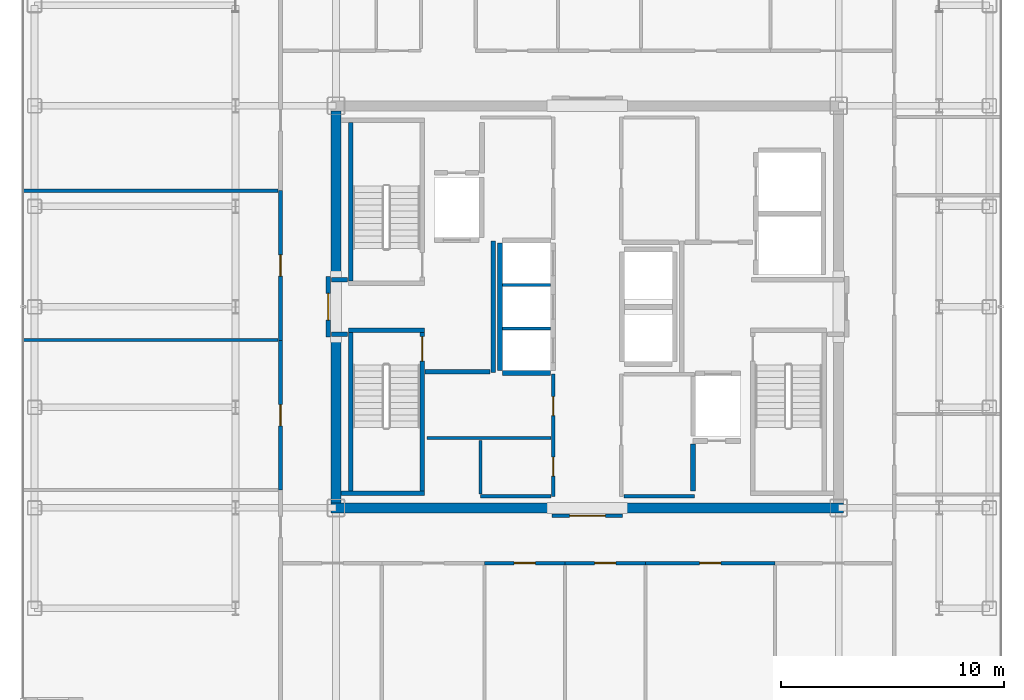
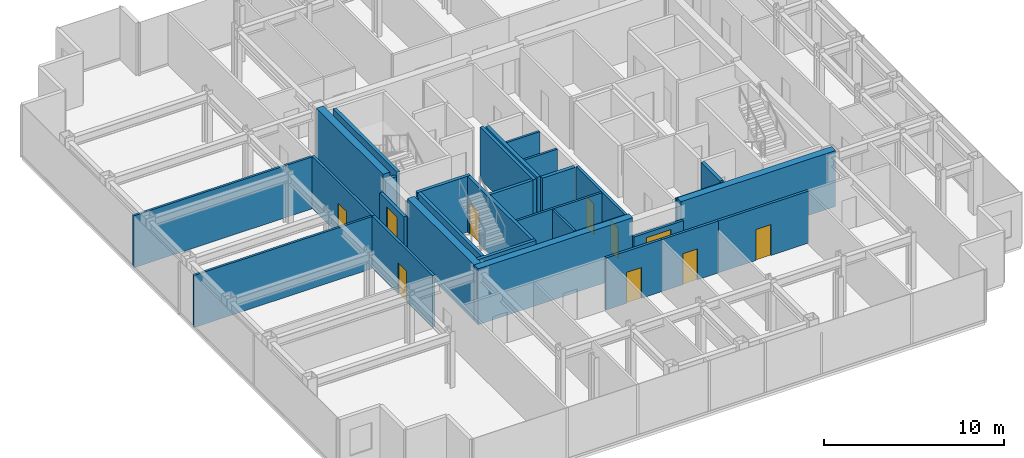
# One storey, part 13 of 18: 32 walls, 10 doors, 10 openings.
"""IFC4 building model written with IfcOpenShell, lengths in metres."""

from ifc_helpers import new_model, si_unit, direction, frame, frame_2d, origin, place, context, subcontext, project, spatial, rectangle, extrude, source, transform, mapped, material, layer, layer_set, type_object, element, fill, save


model = new_model("IFC4")

# Units and contexts
model_context = context("Model", 3, precision=1e-05, world=origin(), true_north=direction((0.0, 1.0)))
body_context = subcontext(model_context, "Body", "Model", "MODEL_VIEW")
ifc_project = project(units=[si_unit("LENGTHUNIT", "METRE"), si_unit("AREAUNIT", "SQUARE_METRE"), si_unit("VOLUMEUNIT", "CUBIC_METRE"), si_unit("PLANEANGLEUNIT", "RADIAN"), si_unit("MASSUNIT", "GRAM", prefix="KILO")], contexts=[model_context])

# Site, building, storey
site_placement = place(None, origin())
site = spatial("IfcSite", under=ifc_project, at=site_placement, CompositionType="ELEMENT")
building_placement = place(site_placement, origin())
building = spatial("IfcBuilding", under=site, at=building_placement, Name="Nefas-Gora Pilgrimage Tower", CompositionType="ELEMENT")
storey_placement = place(building_placement, frame((0.0, 0.0, 272.199951171875)))
storey = spatial("IfcBuildingStorey", under=building, at=storey_placement, Name="L68", CompositionType="ELEMENT", Elevation=272.199951171875)

# Walls
ifc_material_1 = material(Name="Concrete C50/60", Category="concrete")
ifc_layer_1 = layer(ifc_material_1, 0.449951171875)
ifc_layer_set_1 = layer_set([ifc_layer_1], Name="Concrete C50/60")
wall_type_1 = type_object("IfcWallType", Name="SW-CORE-450", PredefinedType="SHEAR", material=ifc_layer_set_1)
shared_shape_1 = source(origin(), body_context, "Body", "SweptSolid", [
    extrude(rectangle(XDim=9.925048828125, YDim=0.449951171875, at=frame_2d((4.96240234375, 0.0))), origin(), (0.0, 0.0, 1.0), 3.800048828125),
])
for number, where, z_axis, x_axis, name in (
    (1, (-11.47509765625, -9.0, 0.0), (0.0, 0.0, 1.0), (1.0, 0.0, 0.0), "L68 Core Shear Wall S-West"),
    (2, (1.550048828125, -9.0, 0.0), (0.0, 0.0, 1.0), (1.0, 0.0, 0.0), "L68 Core Shear Wall S-East"),
):
    element("IfcWall", number, at=place(storey_placement, frame(where, z_axis=z_axis, x_axis=x_axis)), inside=storey, type_object=wall_type_1, Name=name, PredefinedType="SHEAR", context=body_context, shape_type="MappedRepresentation", body=[
        mapped(shared_shape_1, transform((0.0, 0.0, 0.0), x_axis=(1.0, 0.0, 0.0), y_axis=(0.0, 1.0, 0.0), z_axis=(0.0, 0.0, 1.0), scale=1.0)),
    ])
shared_shape_2 = source(origin(), body_context, "Body", "SweptSolid", [
    extrude(rectangle(XDim=7.4248046875, YDim=0.449951171875, at=frame_2d((3.71240234375, 0.0))), origin(), (0.0, 0.0, 1.0), 3.800048828125),
])
for number, where, z_axis, x_axis, name in (
    (3, (-11.25, -8.77490234375, 0.0), (0.0, 0.0, 1.0), (0.0, 1.0, 0.0), "L68 Core Shear Wall W-South"),
    (4, (-11.25, 1.35009765625, 0.0), (0.0, 0.0, 1.0), (0.0, 1.0, 0.0), "L68 Core Shear Wall W-North"),
):
    element("IfcWall", number, at=place(storey_placement, frame(where, z_axis=z_axis, x_axis=x_axis)), inside=storey, type_object=wall_type_1, Name=name, PredefinedType="SHEAR", context=body_context, shape_type="MappedRepresentation", body=[
        mapped(shared_shape_2, transform((0.0, 0.0, 0.0), x_axis=(1.0, 0.0, 0.0), y_axis=(0.0, 1.0, 0.0), z_axis=(0.0, 0.0, 1.0), scale=1.0)),
    ])
ifc_material_2 = material(Name="Concrete C45/55", Category="concrete")
ifc_layer_2 = layer(ifc_material_2, 0.199951171875)
ifc_layer_set_2 = layer_set([ifc_layer_2], Name="Concrete C45/55")
wall_type_2 = type_object("IfcWallType", Name="IW-STAIR-200", PredefinedType="SOLIDWALL", material=ifc_layer_set_2)
shared_shape_3 = source(origin(), body_context, "Body", "SweptSolid", [
    extrude(rectangle(XDim=3.39990234375, YDim=0.199951171875, at=frame_2d((1.699951171875, 0.0))), origin(), (0.0, 0.0, 1.0), 3.800048828125),
])
wall_1_placement = place(storey_placement, frame((-10.699951171875, -1.050048828125, 0.0), z_axis=(0.0, 0.0, 1.0), x_axis=(1.0, 0.0, 0.0)))
element("IfcWall", 5, at=wall_1_placement, inside=storey, type_object=wall_type_2, Name="L68 Stairwell Shear Wall ST-03-near", PredefinedType="SOLIDWALL", context=body_context, shape_type="MappedRepresentation", body=[
    mapped(shared_shape_3, transform((0.0, 0.0, 0.0), x_axis=(1.0, 0.0, 0.0), y_axis=(0.0, 1.0, 0.0), z_axis=(0.0, 0.0, 1.0), scale=1.0)),
])
shared_shape_4 = source(origin(), body_context, "Body", "SweptSolid", [
    extrude(rectangle(XDim=7.10009765625, YDim=0.199951171875, at=frame_2d((3.550048828125, 0.0))), origin(), (0.0, 0.0, 1.0), 3.800048828125),
])
for number, where, z_axis, x_axis, name in (
    (6, (-10.60009765625, 1.14990234375, 0.0), (0.0, 0.0, 1.0), (0.0, 1.0, 0.0), "L68 Stairwell Shear Wall ST-01-right"),
    (7, (-10.60009765625, -1.14990234375, 0.0), (0.0, 0.0, 1.0), (0.0, -1.0, 0.0), "L68 Stairwell Shear Wall ST-03-left"),
):
    element("IfcWall", number, at=place(storey_placement, frame(where, z_axis=z_axis, x_axis=x_axis)), inside=storey, type_object=wall_type_2, Name=name, PredefinedType="SOLIDWALL", context=body_context, shape_type="MappedRepresentation", body=[
        mapped(shared_shape_4, transform((0.0, 0.0, 0.0), x_axis=(1.0, 0.0, 0.0), y_axis=(0.0, 1.0, 0.0), z_axis=(0.0, 0.0, 1.0), scale=1.0)),
    ])

# Wall, opening, door
wall_2_placement = place(storey_placement, frame((-7.39990234375, -1.14990234375, 0.0), z_axis=(0.0, 0.0, 1.0), x_axis=(0.0, -1.0, 0.0)))
wall_2 = element("IfcWall", 8, at=wall_2_placement, inside=storey, type_object=wall_type_2, Name="L68 Stairwell Shear Wall ST-03-right", PredefinedType="SOLIDWALL", context=body_context, shape_type="MappedRepresentation", body=[
    mapped(shared_shape_4, transform((0.0, 0.0, 0.0), x_axis=(1.0, 0.0, 0.0), y_axis=(0.0, 1.0, 0.0), z_axis=(0.0, 0.0, 1.0), scale=1.0)),
])
opening_1_placement = place(wall_2_placement, frame((0.179931640625, 0.0, 0.0)))
opening_1 = element("IfcOpeningElement", 9, at=opening_1_placement, cuts=wall_2, Name="Opening ID-ST1", PredefinedType="OPENING", context=body_context, shape_type="SweptSolid", body=[
    extrude(rectangle(XDim=1.10009765625, YDim=2.14990234375, at=frame_2d((0.550048828125, 1.074951171875))), frame((0.0, 0.10986328125, 0.0), z_axis=(0.0, -1.0, 0.0), x_axis=(1.0, 0.0, 0.0)), (0.0, 0.0, 1.0), 0.219970703125),
])
ifc_material_3 = material(Name="Painted galvanised steel fire stair door", Category="steel")
door_type_1 = type_object("IfcDoorType", Name="DR-INT-STAIR-1100", OperationType="NOTDEFINED", PredefinedType="DOOR", material=ifc_material_3)
shared_shape_5 = source(origin(), body_context, "Body", "SweptSolid", [
    extrude(rectangle(XDim=1.10009765625, YDim=2.14990234375, at=frame_2d((0.550048828125, 1.074951171875))), frame((0.0, 0.02490234375, 0.0), z_axis=(0.0, -1.0, 0.0), x_axis=(1.0, 0.0, 0.0)), (0.0, 0.0, 1.0), 0.050048828125),
])
door_1_placement = place(opening_1_placement, origin())
door_1 = element("IfcDoor", 10, at=door_1_placement, inside=storey, type_object=door_type_1, Name="L68 Protected Exit Stair Door ST-03", OperationType="SINGLE_SWING_RIGHT", OverallHeight=2.14990234375, OverallWidth=1.10009765625, PredefinedType="DOOR", context=body_context, shape_type="MappedRepresentation", body=[
    mapped(shared_shape_5, transform((0.0, 0.0, 0.0), x_axis=(1.0, 0.0, 0.0), y_axis=(0.0, 1.0, 0.0), z_axis=(0.0, 0.0, 1.0), scale=1.0)),
])
fill(opening_1, door_1)

# Walls
shared_shape_6 = source(origin(), body_context, "Body", "SweptSolid", [
    extrude(rectangle(XDim=3.72998046875, YDim=0.199951171875, at=frame_2d((1.864990234375, 0.0))), origin(), (0.0, 0.0, 1.0), 3.800048828125),
])
wall_3_placement = place(storey_placement, frame((-11.030029296875, -8.35009765625, 0.0), z_axis=(0.0, 0.0, 1.0), x_axis=(1.0, 0.0, 0.0)))
element("IfcWall", 11, at=wall_3_placement, inside=storey, type_object=wall_type_2, Name="L68 Stairwell Shear Wall ST-03-far", PredefinedType="SOLIDWALL", context=body_context, shape_type="MappedRepresentation", body=[
    mapped(shared_shape_6, transform((0.0, 0.0, 0.0), x_axis=(1.0, 0.0, 0.0), y_axis=(0.0, 1.0, 0.0), z_axis=(0.0, 0.0, 1.0), scale=1.0)),
])
ifc_material_4 = material(Name="Concrete C40/50", Category="concrete")
ifc_layer_3 = layer(ifc_material_4, 0.219970703125)
ifc_layer_set_3 = layer_set([ifc_layer_3], Name="Concrete C40/50")
wall_type_3 = type_object("IfcWallType", Name="IW-SHAFT-220", PredefinedType="SOLIDWALL", material=ifc_layer_set_3)
shared_shape_7 = source(origin(), body_context, "Body", "SweptSolid", [
    extrude(rectangle(XDim=5.7001953125, YDim=0.219970703125, at=frame_2d((2.85009765625, 0.0))), origin(), (0.0, 0.0, 1.0), 3.53515625),
])
wall_4_placement = place(storey_placement, frame((-3.909912109375, 2.85009765625, 0.0), z_axis=(0.0, 0.0, 1.0), x_axis=(0.0, -1.0, 0.0)))
element("IfcWall", 12, at=wall_4_placement, inside=storey, type_object=wall_type_3, Name="L68 Hoistway Wall PL3-01-03-W", PredefinedType="SOLIDWALL", context=body_context, shape_type="MappedRepresentation", body=[
    mapped(shared_shape_7, transform((0.0, 0.0, 0.0), x_axis=(1.0, 0.0, 0.0), y_axis=(0.0, 1.0, 0.0), z_axis=(0.0, 0.0, 1.0), scale=1.0)),
])
shared_shape_8 = source(origin(), body_context, "Body", "SweptSolid", [
    extrude(rectangle(XDim=2.130126953125, YDim=0.219970703125, at=frame_2d((1.06494140625, 0.0))), origin(), (0.0, 0.0, 1.0), 3.53515625),
])
wall_5_placement = place(storey_placement, frame((-3.7900390625, -2.9599609375, 0.0), z_axis=(0.0, 0.0, 1.0), x_axis=(1.0, 0.0, 0.0)))
element("IfcWall", 13, at=wall_5_placement, inside=storey, type_object=wall_type_3, Name="L68 Hoistway Wall PL3-01-S", PredefinedType="SOLIDWALL", context=body_context, shape_type="MappedRepresentation", body=[
    mapped(shared_shape_8, transform((0.0, 0.0, 0.0), x_axis=(1.0, 0.0, 0.0), y_axis=(0.0, 1.0, 0.0), z_axis=(0.0, 0.0, 1.0), scale=1.0)),
])
ifc_material_5 = material(Name="Gypsum twin-stud partition")
ifc_layer_4 = layer(ifc_material_5, 0.139892578125)
ifc_layer_set_4 = layer_set([ifc_layer_4], Name="Gypsum twin-stud partition")
wall_type_4 = type_object("IfcWallType", Name="IW-UNIT-140", PredefinedType="PARTITIONING", material=ifc_layer_set_4)
shared_shape_9 = source(origin(), body_context, "Body", "SweptSolid", [
    extrude(rectangle(XDim=2.130126953125, YDim=0.139892578125, at=frame_2d((1.06494140625, 0.0))), origin(), (0.0, 0.0, 1.0), 3.53515625),
])
for number, where, z_axis, x_axis, name in (
    (14, (-3.7900390625, -0.97509765625, 0.0), (0.0, 0.0, 1.0), (1.0, 0.0, 0.0), "L68 Hoistway Wall PL3-01-02-DIV"),
    (15, (-3.7900390625, 0.97509765625, 0.0), (0.0, 0.0, 1.0), (1.0, 0.0, 0.0), "L68 Hoistway Wall PL3-02-03-DIV"),
):
    element("IfcWall", number, at=place(storey_placement, frame(where, z_axis=z_axis, x_axis=x_axis)), inside=storey, type_object=wall_type_4, Name=name, PredefinedType="PARTITIONING", context=body_context, shape_type="MappedRepresentation", body=[
        mapped(shared_shape_9, transform((0.0, 0.0, 0.0), x_axis=(1.0, 0.0, 0.0), y_axis=(0.0, 1.0, 0.0), z_axis=(0.0, 0.0, 1.0), scale=1.0)),
    ])
ifc_material_6 = material(Name="Gypsum fire-rated shaftwall")
ifc_layer_5 = layer(ifc_material_6, 0.199951171875)
ifc_layer_set_5 = layer_set([ifc_layer_5], Name="Gypsum fire-rated shaftwall")
wall_type_5 = type_object("IfcWallType", Name="IW-FFLOB-200", PredefinedType="PARTITIONING", material=ifc_layer_set_5)
shared_shape_10 = source(origin(), body_context, "Body", "SweptSolid", [
    extrude(rectangle(XDim=5.89990234375, YDim=0.199951171875, at=frame_2d((2.949951171875, 0.0))), origin(), (0.0, 0.0, 1.0), 3.53515625),
])
wall_6_placement = place(storey_placement, frame((-4.219970703125, -2.949951171875, 0.0), z_axis=(0.0, 0.0, 1.0), x_axis=(0.0, 1.0, 0.0)))
element("IfcWall", 16, at=wall_6_placement, inside=storey, type_object=wall_type_5, Name="L68 FF Lobby West Inner Wall Wall 6", PredefinedType="PARTITIONING", context=body_context, shape_type="MappedRepresentation", body=[
    mapped(shared_shape_10, transform((0.0, 0.0, 0.0), x_axis=(1.0, 0.0, 0.0), y_axis=(0.0, 1.0, 0.0), z_axis=(0.0, 0.0, 1.0), scale=1.0)),
])
shared_shape_11 = source(origin(), body_context, "Body", "SweptSolid", [
    extrude(rectangle(XDim=2.89990234375, YDim=0.199951171875, at=frame_2d((1.449951171875, 0.0))), origin(), (0.0, 0.0, 1.0), 3.53515625),
])
wall_7_placement = place(storey_placement, frame((-7.260009765625, -2.89990234375, 0.0), z_axis=(0.0, 0.0, 1.0), x_axis=(1.0, 0.0, 0.0)))
element("IfcWall", 17, at=wall_7_placement, inside=storey, type_object=wall_type_5, Name="L68 FF Lobby West South Wall Wall 7", PredefinedType="PARTITIONING", context=body_context, shape_type="MappedRepresentation", body=[
    mapped(shared_shape_11, transform((0.0, 0.0, 0.0), x_axis=(1.0, 0.0, 0.0), y_axis=(0.0, 1.0, 0.0), z_axis=(0.0, 0.0, 1.0), scale=1.0)),
])
shared_shape_12 = source(origin(), body_context, "Body", "SweptSolid", [
    extrude(rectangle(XDim=0.719970703125, YDim=0.199951171875, at=frame_2d((0.35986328125, 0.0))), origin(), (0.0, 0.0, 1.0), 3.53515625),
])
for number, where, z_axis, x_axis, name in (
    (18, (-11.4599609375, 1.219970703125, 0.0), (0.0, 0.0, 1.0), (1.0, 0.0, 0.0), "L68 FF Lobby West Throat N Wall 8"),
    (19, (-11.4599609375, -1.219970703125, 0.0), (0.0, 0.0, 1.0), (1.0, 0.0, 0.0), "L68 FF Lobby West Throat S Wall 9"),
):
    element("IfcWall", number, at=place(storey_placement, frame(where, z_axis=z_axis, x_axis=x_axis)), inside=storey, type_object=wall_type_5, Name=name, PredefinedType="PARTITIONING", context=body_context, shape_type="MappedRepresentation", body=[
        mapped(shared_shape_12, transform((0.0, 0.0, 0.0), x_axis=(1.0, 0.0, 0.0), y_axis=(0.0, 1.0, 0.0), z_axis=(0.0, 0.0, 1.0), scale=1.0)),
    ])
shared_shape_13 = source(origin(), body_context, "Body", "SweptSolid", [
    extrude(rectangle(XDim=3.150146484375, YDim=0.139892578125, at=frame_2d((1.5751953125, 0.0))), origin(), (0.0, 0.0, 1.0), 3.53515625),
])
for number, where, z_axis, x_axis, name in (
    (20, (-4.7900390625, -8.47998046875, 0.0), (0.0, 0.0, 1.0), (1.0, 0.0, 0.0), "L68 Freed Bank-2 West Supply Vault Partition Wall 25"),
    (21, (1.639892578125, -8.47998046875, 0.0), (0.0, 0.0, 1.0), (1.0, 0.0, 0.0), "L68 Freed Bank-2 East Linen Store Partition Wall 29"),
):
    element("IfcWall", number, at=place(storey_placement, frame(where, z_axis=z_axis, x_axis=x_axis)), inside=storey, type_object=wall_type_4, Name=name, PredefinedType="PARTITIONING", context=body_context, shape_type="MappedRepresentation", body=[
        mapped(shared_shape_13, transform((0.0, 0.0, 0.0), x_axis=(1.0, 0.0, 0.0), y_axis=(0.0, 1.0, 0.0), z_axis=(0.0, 0.0, 1.0), scale=1.0)),
    ])

# Wall, opening, door
ifc_material_7 = material(Name="Gypsum acoustic stud partition")
ifc_layer_6 = layer(ifc_material_7, 0.159912109375)
ifc_layer_set_6 = layer_set([ifc_layer_6], Name="Gypsum acoustic stud partition")
wall_type_6 = type_object("IfcWallType", Name="IW-CORR-160", PredefinedType="PARTITIONING", material=ifc_layer_set_6)
shared_shape_14 = source(origin(), body_context, "Body", "SweptSolid", [
    extrude(rectangle(XDim=3.60498046875, YDim=0.159912109375, at=frame_2d((1.802490234375, 0.0))), origin(), (0.0, 0.0, 1.0), 3.53515625),
])
wall_8_placement = place(storey_placement, frame((-4.60498046875, -11.469970703125, 0.0), z_axis=(0.0, 0.0, 1.0), x_axis=(1.0, 0.0, 0.0)))
wall_8 = element("IfcWall", 22, at=wall_8_placement, inside=storey, type_object=wall_type_6, Name="L68 Pilgrim Contemplative Lounge Partition Wall 62", PredefinedType="PARTITIONING", context=body_context, shape_type="MappedRepresentation", body=[
    mapped(shared_shape_14, transform((0.0, 0.0, 0.0), x_axis=(1.0, 0.0, 0.0), y_axis=(0.0, 1.0, 0.0), z_axis=(0.0, 0.0, 1.0), scale=1.0)),
])
opening_2_placement = place(wall_8_placement, frame((1.327392578125, 0.0, 0.0)))
opening_2 = element("IfcOpeningElement", 23, at=opening_2_placement, cuts=wall_8, Name="Opening ID-GR1", PredefinedType="OPENING", context=body_context, shape_type="SweptSolid", body=[
    extrude(rectangle(XDim=0.949951171875, YDim=2.10009765625, at=frame_2d((0.47509765625, 1.050048828125))), frame((0.0, 0.08984375, 0.0), z_axis=(0.0, -1.0, 0.0), x_axis=(1.0, 0.0, 0.0)), (0.0, 0.0, 1.0), 0.179931640625),
])
ifc_material_8 = material(Name="Solid core oak fire-rated guest entrance door")
door_type_2 = type_object("IfcDoorType", Name="DR-INT-GUEST-950", OperationType="NOTDEFINED", PredefinedType="DOOR", material=ifc_material_8)
shared_shape_15 = source(origin(), body_context, "Body", "SweptSolid", [
    extrude(rectangle(XDim=0.949951171875, YDim=2.10009765625, at=frame_2d((0.47509765625, 1.050048828125))), frame((0.0, 0.02490234375, 0.0), z_axis=(0.0, -1.0, 0.0), x_axis=(1.0, 0.0, 0.0)), (0.0, 0.0, 1.0), 0.050048828125),
])
door_2_placement = place(opening_2_placement, origin())
door_2 = element("IfcDoor", 24, at=door_2_placement, inside=storey, type_object=door_type_2, Name="L68 Pilgrim Contemplative Lounge Door 30", OperationType="SINGLE_SWING_LEFT", OverallHeight=2.10009765625, OverallWidth=0.949951171875, PredefinedType="DOOR", context=body_context, shape_type="MappedRepresentation", body=[
    mapped(shared_shape_15, transform((0.0, 0.0, 0.0), x_axis=(1.0, 0.0, 0.0), y_axis=(0.0, 1.0, 0.0), z_axis=(0.0, 0.0, 1.0), scale=1.0)),
])
fill(opening_2, door_2)

wall_9_placement = place(storey_placement, frame((-1.0, -11.469970703125, 0.0), z_axis=(0.0, 0.0, 1.0), x_axis=(1.0, 0.0, 0.0)))
wall_9 = element("IfcWall", 25, at=wall_9_placement, inside=storey, type_object=wall_type_6, Name="L68 Pilgrim Contemplative Lounge Partition Wall 64", PredefinedType="PARTITIONING", context=body_context, shape_type="MappedRepresentation", body=[
    mapped(shared_shape_14, transform((0.0, 0.0, 0.0), x_axis=(1.0, 0.0, 0.0), y_axis=(0.0, 1.0, 0.0), z_axis=(0.0, 0.0, 1.0), scale=1.0)),
])
opening_3_placement = place(wall_9_placement, frame((1.327392578125, 0.0, 0.0)))
opening_3 = element("IfcOpeningElement", 26, at=opening_3_placement, cuts=wall_9, Name="Opening ID-GR1", PredefinedType="OPENING", context=body_context, shape_type="SweptSolid", body=[
    extrude(rectangle(XDim=0.949951171875, YDim=2.10009765625, at=frame_2d((0.47509765625, 1.050048828125))), frame((0.0, 0.08984375, 0.0), z_axis=(0.0, -1.0, 0.0), x_axis=(1.0, 0.0, 0.0)), (0.0, 0.0, 1.0), 0.179931640625),
])
door_3_placement = place(opening_3_placement, origin())
door_3 = element("IfcDoor", 27, at=door_3_placement, inside=storey, type_object=door_type_2, Name="L68 Pilgrim Contemplative Lounge Door 31", OperationType="SINGLE_SWING_RIGHT", OverallHeight=2.10009765625, OverallWidth=0.949951171875, PredefinedType="DOOR", context=body_context, shape_type="MappedRepresentation", body=[
    mapped(shared_shape_15, transform((0.0, 0.0, 0.0), x_axis=(1.0, 0.0, 0.0), y_axis=(0.0, 1.0, 0.0), z_axis=(0.0, 0.0, 1.0), scale=1.0)),
])
fill(opening_3, door_3)

# Walls
shared_shape_16 = source(origin(), body_context, "Body", "SweptSolid", [
    extrude(rectangle(XDim=11.429931640625, YDim=0.139892578125, at=frame_2d((5.71484375, 0.0))), origin(), (0.0, 0.0, 1.0), 3.53515625),
])
for number, where, z_axis, x_axis, name in (
    (28, (-25.2900390625, 5.195068359375, 0.0), (0.0, 0.0, 1.0), (1.0, 0.0, 0.0), "L68 Pilgrim Fellowship Seminar Room Partition Wall 36"),
    (29, (-25.2900390625, -1.489990234375, 0.0), (0.0, 0.0, 1.0), (1.0, 0.0, 0.0), "L68 Pilgrim Fellowship Seminar Room Partition Wall 37"),
):
    element("IfcWall", number, at=place(storey_placement, frame(where, z_axis=z_axis, x_axis=x_axis)), inside=storey, type_object=wall_type_4, Name=name, PredefinedType="PARTITIONING", context=body_context, shape_type="MappedRepresentation", body=[
        mapped(shared_shape_16, transform((0.0, 0.0, 0.0), x_axis=(1.0, 0.0, 0.0), y_axis=(0.0, 1.0, 0.0), z_axis=(0.0, 0.0, 1.0), scale=1.0)),
    ])

# Wall, opening, door
shared_shape_17 = source(origin(), body_context, "Body", "SweptSolid", [
    extrude(rectangle(XDim=5.81005859375, YDim=0.159912109375, at=frame_2d((2.905029296875, 0.0))), origin(), (0.0, 0.0, 1.0), 3.53515625),
])
wall_10_placement = place(storey_placement, frame((2.594970703125, -11.469970703125, 0.0), z_axis=(0.0, 0.0, 1.0), x_axis=(1.0, 0.0, 0.0)))
wall_10 = element("IfcWall", 30, at=wall_10_placement, inside=storey, type_object=wall_type_6, Name="L68 Pilgrim Contemplative Lounge Partition Wall 66", PredefinedType="PARTITIONING", context=body_context, shape_type="MappedRepresentation", body=[
    mapped(shared_shape_17, transform((0.0, 0.0, 0.0), x_axis=(1.0, 0.0, 0.0), y_axis=(0.0, 1.0, 0.0), z_axis=(0.0, 0.0, 1.0), scale=1.0)),
])
opening_4_placement = place(wall_10_placement, frame((2.429931640625, 0.0, 0.0)))
opening_4 = element("IfcOpeningElement", 31, at=opening_4_placement, cuts=wall_10, Name="Opening ID-GR1", PredefinedType="OPENING", context=body_context, shape_type="SweptSolid", body=[
    extrude(rectangle(XDim=0.949951171875, YDim=2.10009765625, at=frame_2d((0.47509765625, 1.050048828125))), frame((0.0, 0.08984375, 0.0), z_axis=(0.0, -1.0, 0.0), x_axis=(1.0, 0.0, 0.0)), (0.0, 0.0, 1.0), 0.179931640625),
])
door_4_placement = place(opening_4_placement, origin())
door_4 = element("IfcDoor", 32, at=door_4_placement, inside=storey, type_object=door_type_2, Name="L68 Pilgrim Contemplative Lounge Door 32", OperationType="SINGLE_SWING_LEFT", OverallHeight=2.10009765625, OverallWidth=0.949951171875, PredefinedType="DOOR", context=body_context, shape_type="MappedRepresentation", body=[
    mapped(shared_shape_15, transform((0.0, 0.0, 0.0), x_axis=(1.0, 0.0, 0.0), y_axis=(0.0, 1.0, 0.0), z_axis=(0.0, 0.0, 1.0), scale=1.0)),
])
fill(opening_4, door_4)

# Wall, openings, doors
shared_shape_18 = source(origin(), body_context, "Body", "SweptSolid", [
    extrude(rectangle(XDim=5.47998046875, YDim=0.159912109375, at=frame_2d((2.739990234375, 0.0))), origin(), (0.0, 0.0, 1.0), 3.53515625),
])
wall_11_placement = place(storey_placement, frame((-1.52001953125, -8.489990234375, 0.0), z_axis=(0.0, 0.0, 1.0), x_axis=(0.0, 1.0, 0.0)))
wall_11 = element("IfcWall", 33, at=wall_11_placement, inside=storey, type_object=wall_type_6, Name="L68 Pilgrim Baggage and Gear Vault Wall 21", PredefinedType="PARTITIONING", context=body_context, shape_type="MappedRepresentation", body=[
    mapped(shared_shape_18, transform((0.0, 0.0, 0.0), x_axis=(1.0, 0.0, 0.0), y_axis=(0.0, 1.0, 0.0), z_axis=(0.0, 0.0, 1.0), scale=1.0)),
])
opening_5_placement = place(wall_11_placement, frame((0.907470703125, 0.0, 0.0)))
opening_5 = element("IfcOpeningElement", 34, at=opening_5_placement, cuts=wall_11, Name="Opening ID-BT1", PredefinedType="OPENING", context=body_context, shape_type="SweptSolid", body=[
    extrude(rectangle(XDim=0.85009765625, YDim=2.10009765625, at=frame_2d((0.425048828125, 1.050048828125))), frame((0.0, 0.08984375, 0.0), z_axis=(0.0, -1.0, 0.0), x_axis=(1.0, 0.0, 0.0)), (0.0, 0.0, 1.0), 0.179931640625),
])
opening_6_placement = place(wall_11_placement, frame((3.614990234375, 0.0, 0.0)))
opening_6 = element("IfcOpeningElement", 35, at=opening_6_placement, cuts=wall_11, Name="Opening ID-BT1", PredefinedType="OPENING", context=body_context, shape_type="SweptSolid", body=[
    extrude(rectangle(XDim=0.85009765625, YDim=2.10009765625, at=frame_2d((0.425048828125, 1.050048828125))), frame((0.0, 0.08984375, 0.0), z_axis=(0.0, -1.0, 0.0), x_axis=(1.0, 0.0, 0.0)), (0.0, 0.0, 1.0), 0.179931640625),
])
ifc_material_9 = material(Name="Moisture-resistant fire-rated timber door", Category="wood")
door_type_3 = type_object("IfcDoorType", Name="DR-INT-BATH-850", OperationType="NOTDEFINED", PredefinedType="DOOR", material=ifc_material_9)
shared_shape_19 = source(origin(), body_context, "Body", "SweptSolid", [
    extrude(rectangle(XDim=0.85009765625, YDim=2.10009765625, at=frame_2d((0.425048828125, 1.050048828125))), frame((0.0, 0.02490234375, 0.0), z_axis=(0.0, -1.0, 0.0), x_axis=(1.0, 0.0, 0.0)), (0.0, 0.0, 1.0), 0.050048828125),
])
door_5_placement = place(opening_5_placement, origin())
door_5 = element("IfcDoor", 36, at=door_5_placement, inside=storey, type_object=door_type_3, Name="L68 Freed Bank-2 West Supply Vault Door 9", OperationType="SINGLE_SWING_RIGHT", OverallHeight=2.10009765625, OverallWidth=0.85009765625, PredefinedType="DOOR", context=body_context, shape_type="MappedRepresentation", body=[
    mapped(shared_shape_19, transform((0.0, 0.0, 0.0), x_axis=(1.0, 0.0, 0.0), y_axis=(0.0, 1.0, 0.0), z_axis=(0.0, 0.0, 1.0), scale=1.0)),
])
fill(opening_5, door_5)
door_6_placement = place(opening_6_placement, origin())
door_6 = element("IfcDoor", 37, at=door_6_placement, inside=storey, type_object=door_type_3, Name="L68 Pilgrim Baggage and Gear Vault Door 10", OperationType="SINGLE_SWING_LEFT", OverallHeight=2.10009765625, OverallWidth=0.85009765625, PredefinedType="DOOR", context=body_context, shape_type="MappedRepresentation", body=[
    mapped(shared_shape_19, transform((0.0, 0.0, 0.0), x_axis=(1.0, 0.0, 0.0), y_axis=(0.0, 1.0, 0.0), z_axis=(0.0, 0.0, 1.0), scale=1.0)),
])
fill(opening_6, door_6)

# Wall, opening, door
shared_shape_20 = source(origin(), body_context, "Body", "SweptSolid", [
    extrude(rectangle(XDim=6.705078125, YDim=0.159912109375, at=frame_2d((3.3525390625, 0.0))), origin(), (0.0, 0.0, 1.0), 3.53515625),
])
wall_12_placement = place(storey_placement, frame((-13.739990234375, -1.5, 0.0), z_axis=(0.0, 0.0, 1.0), x_axis=(0.0, 1.0, 0.0)))
wall_12 = element("IfcWall", 38, at=wall_12_placement, inside=storey, type_object=wall_type_6, Name="L68 Pilgrim Fellowship Seminar Room Partition Wall 35", PredefinedType="PARTITIONING", context=body_context, shape_type="MappedRepresentation", body=[
    mapped(shared_shape_20, transform((0.0, 0.0, 0.0), x_axis=(1.0, 0.0, 0.0), y_axis=(0.0, 1.0, 0.0), z_axis=(0.0, 0.0, 1.0), scale=1.0)),
])
opening_7_placement = place(wall_12_placement, frame((2.87744140625, 0.0, 0.0)))
opening_7 = element("IfcOpeningElement", 39, at=opening_7_placement, cuts=wall_12, Name="Opening ID-GR1", PredefinedType="OPENING", context=body_context, shape_type="SweptSolid", body=[
    extrude(rectangle(XDim=0.949951171875, YDim=2.10009765625, at=frame_2d((0.47509765625, 1.050048828125))), frame((0.0, 0.08984375, 0.0), z_axis=(0.0, -1.0, 0.0), x_axis=(1.0, 0.0, 0.0)), (0.0, 0.0, 1.0), 0.179931640625),
])
door_7_placement = place(opening_7_placement, origin())
door_7 = element("IfcDoor", 40, at=door_7_placement, inside=storey, type_object=door_type_2, Name="L68 Pilgrim Fellowship Seminar Room Door 15", OperationType="SINGLE_SWING_RIGHT", OverallHeight=2.10009765625, OverallWidth=0.949951171875, PredefinedType="DOOR", context=body_context, shape_type="MappedRepresentation", body=[
    mapped(shared_shape_15, transform((0.0, 0.0, 0.0), x_axis=(1.0, 0.0, 0.0), y_axis=(0.0, 1.0, 0.0), z_axis=(0.0, 0.0, 1.0), scale=1.0)),
])
fill(opening_7, door_7)

wall_13_placement = place(storey_placement, frame((-13.739990234375, -8.205078125, 0.0), z_axis=(0.0, 0.0, 1.0), x_axis=(0.0, 1.0, 0.0)))
wall_13 = element("IfcWall", 41, at=wall_13_placement, inside=storey, type_object=wall_type_6, Name="L68 Pilgrim Contemplative Lounge Partition Wall 38", PredefinedType="PARTITIONING", context=body_context, shape_type="MappedRepresentation", body=[
    mapped(shared_shape_20, transform((0.0, 0.0, 0.0), x_axis=(1.0, 0.0, 0.0), y_axis=(0.0, 1.0, 0.0), z_axis=(0.0, 0.0, 1.0), scale=1.0)),
])
opening_8_placement = place(wall_13_placement, frame((2.87744140625, 0.0, 0.0)))
opening_8 = element("IfcOpeningElement", 42, at=opening_8_placement, cuts=wall_13, Name="Opening ID-GR1", PredefinedType="OPENING", context=body_context, shape_type="SweptSolid", body=[
    extrude(rectangle(XDim=0.949951171875, YDim=2.10009765625, at=frame_2d((0.47509765625, 1.050048828125))), frame((0.0, 0.08984375, 0.0), z_axis=(0.0, -1.0, 0.0), x_axis=(1.0, 0.0, 0.0)), (0.0, 0.0, 1.0), 0.179931640625),
])
door_8_placement = place(opening_8_placement, origin())
door_8 = element("IfcDoor", 43, at=door_8_placement, inside=storey, type_object=door_type_2, Name="L68 Pilgrim Contemplative Lounge Door 16", OperationType="SINGLE_SWING_LEFT", OverallHeight=2.10009765625, OverallWidth=0.949951171875, PredefinedType="DOOR", context=body_context, shape_type="MappedRepresentation", body=[
    mapped(shared_shape_15, transform((0.0, 0.0, 0.0), x_axis=(1.0, 0.0, 0.0), y_axis=(0.0, 1.0, 0.0), z_axis=(0.0, 0.0, 1.0), scale=1.0)),
])
fill(opening_8, door_8)

shared_shape_21 = source(origin(), body_context, "Body", "SweptSolid", [
    extrude(rectangle(XDim=2.7001953125, YDim=0.199951171875, at=frame_2d((1.35009765625, 0.0))), origin(), (0.0, 0.0, 1.0), 2.625),
])
wall_14_placement = place(storey_placement, frame((-11.60009765625, -1.35009765625, 0.0), z_axis=(0.0, 0.0, 1.0), x_axis=(0.0, 1.0, 0.0)))
wall_14 = element("IfcWall", 44, at=wall_14_placement, inside=storey, type_object=wall_type_5, Name="L68 FF Lobby West Portal Wall 5", PredefinedType="PARTITIONING", context=body_context, shape_type="MappedRepresentation", body=[
    mapped(shared_shape_21, transform((0.0, 0.0, 0.0), x_axis=(1.0, 0.0, 0.0), y_axis=(0.0, 1.0, 0.0), z_axis=(0.0, 0.0, 1.0), scale=1.0)),
])
opening_9_placement = place(wall_14_placement, frame((0.75, 0.0, 0.0)))
opening_9 = element("IfcOpeningElement", 45, at=opening_9_placement, cuts=wall_14, Name="Opening ID-FF1", PredefinedType="OPENING", context=body_context, shape_type="SweptSolid", body=[
    extrude(rectangle(XDim=1.199951171875, YDim=2.14990234375, at=frame_2d((0.60009765625, 1.074951171875))), frame((0.0, 0.10986328125, 0.0), z_axis=(0.0, -1.0, 0.0), x_axis=(1.0, 0.0, 0.0)), (0.0, 0.0, 1.0), 0.219970703125),
])
ifc_material_10 = material(Name="Smoke-sealed steel firefighting lobby door", Category="steel")
door_type_4 = type_object("IfcDoorType", Name="DR-INT-FFLOB-1200", OperationType="NOTDEFINED", PredefinedType="DOOR", material=ifc_material_10)
shared_shape_22 = source(origin(), body_context, "Body", "SweptSolid", [
    extrude(rectangle(XDim=1.199951171875, YDim=2.14990234375, at=frame_2d((0.60009765625, 1.074951171875))), frame((0.0, 0.02490234375, 0.0), z_axis=(0.0, -1.0, 0.0), x_axis=(1.0, 0.0, 0.0)), (0.0, 0.0, 1.0), 0.050048828125),
])
door_9_placement = place(opening_9_placement, origin())
door_9 = element("IfcDoor", 46, at=door_9_placement, inside=storey, type_object=door_type_4, Name="L68 FF Lobby West Portal Door 3", OperationType="SINGLE_SWING_RIGHT", OverallHeight=2.14990234375, OverallWidth=1.199951171875, PredefinedType="DOOR", context=body_context, shape_type="MappedRepresentation", body=[
    mapped(shared_shape_22, transform((0.0, 0.0, 0.0), x_axis=(1.0, 0.0, 0.0), y_axis=(0.0, 1.0, 0.0), z_axis=(0.0, 0.0, 1.0), scale=1.0)),
])
fill(opening_9, door_9)

shared_shape_23 = source(origin(), body_context, "Body", "SweptSolid", [
    extrude(rectangle(XDim=3.16015625, YDim=0.159912109375, at=frame_2d((1.580078125, 0.0))), origin(), (0.0, 0.0, 1.0), 2.625),
])
wall_15_placement = place(storey_placement, frame((-1.580078125, -9.35009765625, 0.0), z_axis=(0.0, 0.0, 1.0), x_axis=(1.0, 0.0, 0.0)))
wall_15 = element("IfcWall", 47, at=wall_15_placement, inside=storey, type_object=wall_type_6, Name="L68 Central Lift Lobby South Portal Wall 17", PredefinedType="PARTITIONING", context=body_context, shape_type="MappedRepresentation", body=[
    mapped(shared_shape_23, transform((0.0, 0.0, 0.0), x_axis=(1.0, 0.0, 0.0), y_axis=(0.0, 1.0, 0.0), z_axis=(0.0, 0.0, 1.0), scale=1.0)),
])
opening_10_placement = place(wall_15_placement, frame((0.780029296875, 0.0, 0.0)))
opening_10 = element("IfcOpeningElement", 48, at=opening_10_placement, cuts=wall_15, Name="Opening ID-HL1", PredefinedType="OPENING", context=body_context, shape_type="SweptSolid", body=[
    extrude(rectangle(XDim=1.60009765625, YDim=2.300048828125, at=frame_2d((0.800048828125, 1.14990234375))), frame((0.0, 0.08984375, 0.0), z_axis=(0.0, -1.0, 0.0), x_axis=(1.0, 0.0, 0.0)), (0.0, 0.0, 1.0), 0.179931640625),
])
ifc_material_11 = material(Name="Double acoustic timber assembly hall door", Category="wood")
door_type_5 = type_object("IfcDoorType", Name="DR-INT-HALL-1600", OperationType="DOUBLE_DOOR_SINGLE_SWING", PredefinedType="DOOR", material=ifc_material_11)
shared_shape_24 = source(origin(), body_context, "Body", "SweptSolid", [
    extrude(rectangle(XDim=1.60009765625, YDim=2.300048828125, at=frame_2d((0.800048828125, 1.14990234375))), frame((0.0, 0.02490234375, 0.0), z_axis=(0.0, -1.0, 0.0), x_axis=(1.0, 0.0, 0.0)), (0.0, 0.0, 1.0), 0.050048828125),
])
door_10_placement = place(opening_10_placement, origin())
door_10 = element("IfcDoor", 49, at=door_10_placement, inside=storey, type_object=door_type_5, Name="L68 Central Lift Lobby South Portal Door 7", OperationType="DOUBLE_DOOR_SINGLE_SWING", OverallHeight=2.300048828125, OverallWidth=1.60009765625, PredefinedType="DOOR", context=body_context, shape_type="MappedRepresentation", body=[
    mapped(shared_shape_24, transform((0.0, 0.0, 0.0), x_axis=(1.0, 0.0, 0.0), y_axis=(0.0, 1.0, 0.0), z_axis=(0.0, 0.0, 1.0), scale=1.0)),
])
fill(opening_10, door_10)

# Walls
shared_shape_25 = source(origin(), body_context, "Body", "SweptSolid", [
    extrude(rectangle(XDim=2.10009765625, YDim=0.219970703125, at=frame_2d((1.050048828125, 0.0))), origin(), (0.0, 0.0, 1.0), 3.53515625),
])
wall_16_placement = place(storey_placement, frame((4.719970703125, -8.25, 0.0), z_axis=(0.0, 0.0, 1.0), x_axis=(0.0, 1.0, 0.0)))
element("IfcWall", 50, at=wall_16_placement, inside=storey, type_object=wall_type_3, Name="L68 Riser Shaft Wall 4", PredefinedType="SOLIDWALL", context=body_context, shape_type="MappedRepresentation", body=[
    mapped(shared_shape_25, transform((0.0, 0.0, 0.0), x_axis=(1.0, 0.0, 0.0), y_axis=(0.0, 1.0, 0.0), z_axis=(0.0, 0.0, 1.0), scale=1.0)),
])
shared_shape_26 = source(origin(), body_context, "Body", "SweptSolid", [
    extrude(rectangle(XDim=5.550048828125, YDim=0.139892578125, at=frame_2d((2.77490234375, 0.0))), origin(), (0.0, 0.0, 1.0), 3.53515625),
])
wall_17_placement = place(storey_placement, frame((-7.18994140625, -5.8798828125, 0.0), z_axis=(0.0, 0.0, 1.0), x_axis=(1.0, 0.0, 0.0)))
element("IfcWall", 51, at=wall_17_placement, inside=storey, type_object=wall_type_4, Name="L68 Pilgrim Baggage and Gear Vault Partition Wall 22", PredefinedType="PARTITIONING", context=body_context, shape_type="MappedRepresentation", body=[
    mapped(shared_shape_26, transform((0.0, 0.0, 0.0), x_axis=(1.0, 0.0, 0.0), y_axis=(0.0, 1.0, 0.0), z_axis=(0.0, 0.0, 1.0), scale=1.0)),
])
shared_shape_27 = source(origin(), body_context, "Body", "SweptSolid", [
    extrude(rectangle(XDim=2.380126953125, YDim=0.139892578125, at=frame_2d((1.18994140625, 0.0))), origin(), (0.0, 0.0, 1.0), 3.53515625),
])
wall_18_placement = place(storey_placement, frame((-4.780029296875, -8.3701171875, 0.0), z_axis=(0.0, 0.0, 1.0), x_axis=(0.0, 1.0, 0.0)))
element("IfcWall", 52, at=wall_18_placement, inside=storey, type_object=wall_type_4, Name="L68 Freed Bank-2 West Supply Vault Partition Wall 26", PredefinedType="PARTITIONING", context=body_context, shape_type="MappedRepresentation", body=[
    mapped(shared_shape_27, transform((0.0, 0.0, 0.0), x_axis=(1.0, 0.0, 0.0), y_axis=(0.0, 1.0, 0.0), z_axis=(0.0, 0.0, 1.0), scale=1.0)),
])

save(model, "model.ifc")
